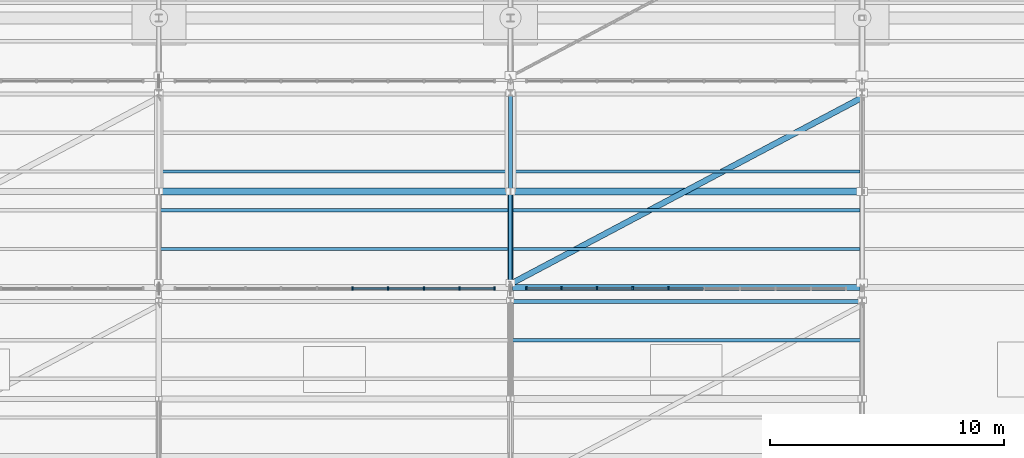
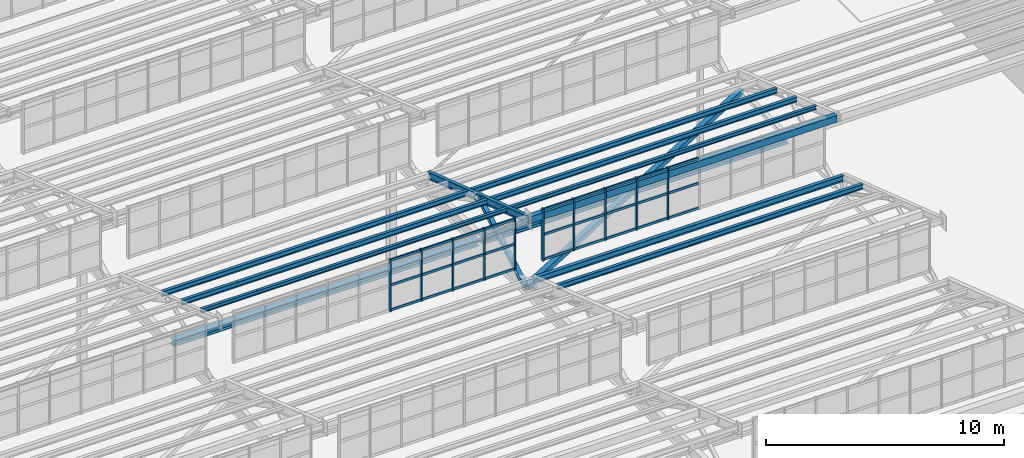
# One storey, part 88 of 285: 42 members, 10 beams, 2 elements without a shape of their own.
"""IFC4 building model written with IfcOpenShell, lengths in metres."""

from ifc_helpers import new_model, si_unit, direction, frame, origin, origin_2d, place, context, subcontext, project, spatial, rectangle, hollow_rectangle, i_section, extrude, material, material_profile, profile_set, type_object, element, aggregate, save


model = new_model("IFC4")

# Units and contexts
model_context = context("Model", 3, precision=1e-05, world=origin(), true_north=direction((0.0, 1.0)))
body_context = subcontext(model_context, "Body", "Model", "MODEL_VIEW")
ifc_project = project(units=[si_unit("LENGTHUNIT", "METRE"), si_unit("AREAUNIT", "SQUARE_METRE"), si_unit("VOLUMEUNIT", "CUBIC_METRE"), si_unit("PLANEANGLEUNIT", "RADIAN"), si_unit("MASSUNIT", "GRAM", prefix="KILO")], contexts=[model_context])

# Site, building, storey
site_placement = place(None, origin())
site = spatial("IfcSite", under=ifc_project, at=site_placement, CompositionType="ELEMENT")
building_placement = place(site_placement, origin())
building = spatial("IfcBuilding", under=site, at=building_placement, Name="Solanera Park Tramway Depot", CompositionType="ELEMENT")
storey_placement = place(building_placement, origin())
storey = spatial("IfcBuildingStorey", under=building, at=storey_placement, Name="L00", CompositionType="ELEMENT", Elevation=0.0)

# Curtain wall, members
ifc_material_1 = material(Name="Bronze-anodised thermally broken aluminium curtain wall", Category="aluminium")
curtain_wall_type = type_object("IfcCurtainWallType", Name="Sawtooth Clerestory Monitor Curtain Wall", PredefinedType="NOTDEFINED", material=ifc_material_1)
curtain_wall_1_placement = place(storey_placement, origin())
curtain_wall_1 = element("IfcCurtainWall", 1, at=curtain_wall_1_placement, inside=storey, type_object=curtain_wall_type, Name="L00 Sawtooth Clerestory Monitor Curtain Wall #018", PredefinedType="NOTDEFINED")
ifc_material_2 = material(Name="Bronze-anodised structural aluminium 6063-T6", Category="aluminium")
ifc_material_profile_1 = material_profile(ifc_material_2, rectangle(XDim=0.06494140625, YDim=0.14990234375, at=origin_2d()), Name="Curtain Wall Mullion 65x150")
ifc_profile_set_1 = profile_set([ifc_material_profile_1], Name="Bronze-anodised structural aluminium 6063-T6")
member_type_1 = type_object("IfcMemberType", Name="Curtain Wall Mullion 65x150", PredefinedType="MULLION", material=ifc_profile_set_1)
member_1_placement = place(storey_placement, frame((113.260986328125, 73.449951171875, 7.75), z_axis=(0.0, 0.0, 1.0), x_axis=(1.0, 0.0, 0.0)))
member_1 = element("IfcMember", 2, at=member_1_placement, type_object=member_type_1, Name="CW-L00-018 Mullion 6", PredefinedType="MULLION", context=body_context, shape_type="SweptSolid", body=[
    extrude(rectangle(XDim=0.06494140625, YDim=0.14990234375, at=origin_2d()), origin(), (0.0, 0.0, 1.0), 2.6611328125),
])
member_2_placement = place(storey_placement, frame((114.783203125, 73.449951171875, 7.75), z_axis=(0.0, 0.0, 1.0), x_axis=(1.0, 0.0, 0.0)))
member_2 = element("IfcMember", 3, at=member_2_placement, type_object=member_type_1, Name="CW-L00-018 Mullion 7", PredefinedType="MULLION", context=body_context, shape_type="SweptSolid", body=[
    extrude(rectangle(XDim=0.06494140625, YDim=0.14990234375, at=origin_2d()), origin(), (0.0, 0.0, 1.0), 2.6611328125),
])
member_3_placement = place(storey_placement, frame((116.3056640625, 73.449951171875, 7.75), z_axis=(0.0, 0.0, 1.0), x_axis=(1.0, 0.0, 0.0)))
member_3 = element("IfcMember", 4, at=member_3_placement, type_object=member_type_1, Name="CW-L00-018 Mullion 8", PredefinedType="MULLION", context=body_context, shape_type="SweptSolid", body=[
    extrude(rectangle(XDim=0.06494140625, YDim=0.14990234375, at=origin_2d()), origin(), (0.0, 0.0, 1.0), 2.6611328125),
])
member_4_placement = place(storey_placement, frame((117.827880859375, 73.449951171875, 7.75), z_axis=(0.0, 0.0, 1.0), x_axis=(1.0, 0.0, 0.0)))
member_4 = element("IfcMember", 5, at=member_4_placement, type_object=member_type_1, Name="CW-L00-018 Mullion 9", PredefinedType="MULLION", context=body_context, shape_type="SweptSolid", body=[
    extrude(rectangle(XDim=0.06494140625, YDim=0.14990234375, at=origin_2d()), origin(), (0.0, 0.0, 1.0), 2.6611328125),
])
member_5_placement = place(storey_placement, frame((119.3173828125, 73.449951171875, 7.75), z_axis=(0.0, 0.0, 1.0), x_axis=(1.0, 0.0, 0.0)))
member_5 = element("IfcMember", 6, at=member_5_placement, type_object=member_type_1, Name="CW-L00-018 Mullion 10", PredefinedType="MULLION", context=body_context, shape_type="SweptSolid", body=[
    extrude(rectangle(XDim=0.06494140625, YDim=0.14990234375, at=origin_2d()), origin(), (0.0, 0.0, 1.0), 2.6611328125),
])

curtain_wall_2_placement = place(storey_placement, origin())
curtain_wall_2 = element("IfcCurtainWall", 7, at=curtain_wall_2_placement, inside=storey, type_object=curtain_wall_type, Name="L00 Sawtooth Clerestory Monitor Curtain Wall #019", PredefinedType="NOTDEFINED")
member_6_placement = place(storey_placement, frame((120.6826171875, 73.449951171875, 7.75), z_axis=(0.0, 0.0, 1.0), x_axis=(1.0, 0.0, 0.0)))
member_6 = element("IfcMember", 8, at=member_6_placement, type_object=member_type_1, Name="CW-L00-019 Mullion 1", PredefinedType="MULLION", context=body_context, shape_type="SweptSolid", body=[
    extrude(rectangle(XDim=0.06494140625, YDim=0.14990234375, at=origin_2d()), origin(), (0.0, 0.0, 1.0), 2.6611328125),
])
member_7_placement = place(storey_placement, frame((122.172119140625, 73.449951171875, 7.75), z_axis=(0.0, 0.0, 1.0), x_axis=(1.0, 0.0, 0.0)))
member_7 = element("IfcMember", 9, at=member_7_placement, type_object=member_type_1, Name="CW-L00-019 Mullion 2", PredefinedType="MULLION", context=body_context, shape_type="SweptSolid", body=[
    extrude(rectangle(XDim=0.06494140625, YDim=0.14990234375, at=origin_2d()), origin(), (0.0, 0.0, 1.0), 2.6611328125),
])
member_8_placement = place(storey_placement, frame((123.6943359375, 73.449951171875, 7.75), z_axis=(0.0, 0.0, 1.0), x_axis=(1.0, 0.0, 0.0)))
member_8 = element("IfcMember", 10, at=member_8_placement, type_object=member_type_1, Name="CW-L00-019 Mullion 3", PredefinedType="MULLION", context=body_context, shape_type="SweptSolid", body=[
    extrude(rectangle(XDim=0.06494140625, YDim=0.14990234375, at=origin_2d()), origin(), (0.0, 0.0, 1.0), 2.6611328125),
])
member_9_placement = place(storey_placement, frame((125.216796875, 73.449951171875, 7.75), z_axis=(0.0, 0.0, 1.0), x_axis=(1.0, 0.0, 0.0)))
member_9 = element("IfcMember", 11, at=member_9_placement, type_object=member_type_1, Name="CW-L00-019 Mullion 4", PredefinedType="MULLION", context=body_context, shape_type="SweptSolid", body=[
    extrude(rectangle(XDim=0.06494140625, YDim=0.14990234375, at=origin_2d()), origin(), (0.0, 0.0, 1.0), 2.6611328125),
])
member_10_placement = place(storey_placement, frame((126.739013671875, 73.449951171875, 7.75), z_axis=(0.0, 0.0, 1.0), x_axis=(1.0, 0.0, 0.0)))
member_10 = element("IfcMember", 12, at=member_10_placement, type_object=member_type_1, Name="CW-L00-019 Mullion 5", PredefinedType="MULLION", context=body_context, shape_type="SweptSolid", body=[
    extrude(rectangle(XDim=0.06494140625, YDim=0.14990234375, at=origin_2d()), origin(), (0.0, 0.0, 1.0), 2.6611328125),
])

# Member
ifc_material_3 = material(Name="Bronze-anodised structural aluminium 6063-T6", Category="aluminium")
ifc_material_profile_2 = material_profile(ifc_material_3, rectangle(XDim=0.06494140625, YDim=0.1201171875, at=origin_2d()), Name="Curtain Wall Transom 65x120")
ifc_profile_set_2 = profile_set([ifc_material_profile_2], Name="Bronze-anodised structural aluminium 6063-T6")
member_type_2 = type_object("IfcMemberType", Name="Curtain Wall Transom 65x120", PredefinedType="USERDEFINED", material=ifc_profile_set_2)
member_11_placement = place(storey_placement, frame((113.2890625, 73.449951171875, 7.81005859375), z_axis=(1.0, 0.0, 0.0), x_axis=(0.0, 1.0, 0.0)))
member_11 = element("IfcMember", 13, at=member_11_placement, type_object=member_type_2, Name="CW-L00-018 Transom R1.C6", ObjectType="TRANSOM", PredefinedType="USERDEFINED", context=body_context, shape_type="SweptSolid", body=[
    extrude(rectangle(XDim=0.06494140625, YDim=0.1201171875, at=origin_2d()), origin(), (0.0, 0.0, 1.0), 1.46630859375),
])

member_12_placement = place(storey_placement, frame((114.811279296875, 73.449951171875, 7.81005859375), z_axis=(1.0, 0.0, 0.0), x_axis=(0.0, 1.0, 0.0)))
member_12 = element("IfcMember", 14, at=member_12_placement, type_object=member_type_2, Name="CW-L00-018 Transom R1.C7", ObjectType="TRANSOM", PredefinedType="USERDEFINED", context=body_context, shape_type="SweptSolid", body=[
    extrude(rectangle(XDim=0.06494140625, YDim=0.1201171875, at=origin_2d()), origin(), (0.0, 0.0, 1.0), 1.46630859375),
])

member_13_placement = place(storey_placement, frame((116.33349609375, 73.449951171875, 7.81005859375), z_axis=(1.0, 0.0, 0.0), x_axis=(0.0, 1.0, 0.0)))
member_13 = element("IfcMember", 15, at=member_13_placement, type_object=member_type_2, Name="CW-L00-018 Transom R1.C8", ObjectType="TRANSOM", PredefinedType="USERDEFINED", context=body_context, shape_type="SweptSolid", body=[
    extrude(rectangle(XDim=0.06494140625, YDim=0.1201171875, at=origin_2d()), origin(), (0.0, 0.0, 1.0), 1.46630859375),
])

member_14_placement = place(storey_placement, frame((117.855712890625, 73.449951171875, 7.81005859375), z_axis=(1.0, 0.0, 0.0), x_axis=(0.0, 1.0, 0.0)))
member_14 = element("IfcMember", 16, at=member_14_placement, type_object=member_type_2, Name="CW-L00-018 Transom R1.C9", ObjectType="TRANSOM", PredefinedType="USERDEFINED", context=body_context, shape_type="SweptSolid", body=[
    extrude(rectangle(XDim=0.06494140625, YDim=0.1201171875, at=origin_2d()), origin(), (0.0, 0.0, 1.0), 1.433837890625),
])

member_15_placement = place(storey_placement, frame((113.2890625, 73.449951171875, 9.08056640625), z_axis=(1.0, 0.0, 0.0), x_axis=(0.0, 1.0, 0.0)))
member_15 = element("IfcMember", 17, at=member_15_placement, type_object=member_type_2, Name="CW-L00-018 Transom R2.C6", ObjectType="TRANSOM", PredefinedType="USERDEFINED", context=body_context, shape_type="SweptSolid", body=[
    extrude(rectangle(XDim=0.06494140625, YDim=0.1201171875, at=origin_2d()), origin(), (0.0, 0.0, 1.0), 1.46630859375),
])

member_16_placement = place(storey_placement, frame((114.811279296875, 73.449951171875, 9.08056640625), z_axis=(1.0, 0.0, 0.0), x_axis=(0.0, 1.0, 0.0)))
member_16 = element("IfcMember", 18, at=member_16_placement, type_object=member_type_2, Name="CW-L00-018 Transom R2.C7", ObjectType="TRANSOM", PredefinedType="USERDEFINED", context=body_context, shape_type="SweptSolid", body=[
    extrude(rectangle(XDim=0.06494140625, YDim=0.1201171875, at=origin_2d()), origin(), (0.0, 0.0, 1.0), 1.46630859375),
])

member_17_placement = place(storey_placement, frame((116.33349609375, 73.449951171875, 9.08056640625), z_axis=(1.0, 0.0, 0.0), x_axis=(0.0, 1.0, 0.0)))
member_17 = element("IfcMember", 19, at=member_17_placement, type_object=member_type_2, Name="CW-L00-018 Transom R2.C8", ObjectType="TRANSOM", PredefinedType="USERDEFINED", context=body_context, shape_type="SweptSolid", body=[
    extrude(rectangle(XDim=0.06494140625, YDim=0.1201171875, at=origin_2d()), origin(), (0.0, 0.0, 1.0), 1.46630859375),
])

member_18_placement = place(storey_placement, frame((117.855712890625, 73.449951171875, 9.08056640625), z_axis=(1.0, 0.0, 0.0), x_axis=(0.0, 1.0, 0.0)))
member_18 = element("IfcMember", 20, at=member_18_placement, type_object=member_type_2, Name="CW-L00-018 Transom R2.C9", ObjectType="TRANSOM", PredefinedType="USERDEFINED", context=body_context, shape_type="SweptSolid", body=[
    extrude(rectangle(XDim=0.06494140625, YDim=0.1201171875, at=origin_2d()), origin(), (0.0, 0.0, 1.0), 1.433837890625),
])

member_19_placement = place(storey_placement, frame((113.2890625, 73.449951171875, 10.351318359375), z_axis=(1.0, 0.0, 0.0), x_axis=(0.0, 1.0, 0.0)))
member_19 = element("IfcMember", 21, at=member_19_placement, type_object=member_type_2, Name="CW-L00-018 Transom R3.C6", ObjectType="TRANSOM", PredefinedType="USERDEFINED", context=body_context, shape_type="SweptSolid", body=[
    extrude(rectangle(XDim=0.06494140625, YDim=0.1201171875, at=origin_2d()), origin(), (0.0, 0.0, 1.0), 1.46630859375),
])

member_20_placement = place(storey_placement, frame((114.811279296875, 73.449951171875, 10.351318359375), z_axis=(1.0, 0.0, 0.0), x_axis=(0.0, 1.0, 0.0)))
member_20 = element("IfcMember", 22, at=member_20_placement, type_object=member_type_2, Name="CW-L00-018 Transom R3.C7", ObjectType="TRANSOM", PredefinedType="USERDEFINED", context=body_context, shape_type="SweptSolid", body=[
    extrude(rectangle(XDim=0.06494140625, YDim=0.1201171875, at=origin_2d()), origin(), (0.0, 0.0, 1.0), 1.46630859375),
])

member_21_placement = place(storey_placement, frame((116.33349609375, 73.449951171875, 10.351318359375), z_axis=(1.0, 0.0, 0.0), x_axis=(0.0, 1.0, 0.0)))
member_21 = element("IfcMember", 23, at=member_21_placement, type_object=member_type_2, Name="CW-L00-018 Transom R3.C8", ObjectType="TRANSOM", PredefinedType="USERDEFINED", context=body_context, shape_type="SweptSolid", body=[
    extrude(rectangle(XDim=0.06494140625, YDim=0.1201171875, at=origin_2d()), origin(), (0.0, 0.0, 1.0), 1.46630859375),
])

member_22_placement = place(storey_placement, frame((117.855712890625, 73.449951171875, 10.351318359375), z_axis=(1.0, 0.0, 0.0), x_axis=(0.0, 1.0, 0.0)))
member_22 = element("IfcMember", 24, at=member_22_placement, type_object=member_type_2, Name="CW-L00-018 Transom R3.C9", ObjectType="TRANSOM", PredefinedType="USERDEFINED", context=body_context, shape_type="SweptSolid", body=[
    extrude(rectangle(XDim=0.06494140625, YDim=0.1201171875, at=origin_2d()), origin(), (0.0, 0.0, 1.0), 1.433837890625),
])

aggregate(curtain_wall_1, [member_1, member_2, member_3, member_4, member_5, member_11, member_12, member_13, member_14, member_15, member_16, member_17, member_18, member_19, member_20, member_21, member_22])

member_23_placement = place(storey_placement, frame((120.71044921875, 73.449951171875, 7.81005859375), z_axis=(1.0, 0.0, 0.0), x_axis=(0.0, 1.0, 0.0)))
member_23 = element("IfcMember", 25, at=member_23_placement, type_object=member_type_2, Name="CW-L00-019 Transom R1.C1", ObjectType="TRANSOM", PredefinedType="USERDEFINED", context=body_context, shape_type="SweptSolid", body=[
    extrude(rectangle(XDim=0.06494140625, YDim=0.1201171875, at=origin_2d()), origin(), (0.0, 0.0, 1.0), 1.433837890625),
])

member_24_placement = place(storey_placement, frame((122.2001953125, 73.449951171875, 7.81005859375), z_axis=(1.0, 0.0, 0.0), x_axis=(0.0, 1.0, 0.0)))
member_24 = element("IfcMember", 26, at=member_24_placement, type_object=member_type_2, Name="CW-L00-019 Transom R1.C2", ObjectType="TRANSOM", PredefinedType="USERDEFINED", context=body_context, shape_type="SweptSolid", body=[
    extrude(rectangle(XDim=0.06494140625, YDim=0.1201171875, at=origin_2d()), origin(), (0.0, 0.0, 1.0), 1.46630859375),
])

member_25_placement = place(storey_placement, frame((123.722412109375, 73.449951171875, 7.81005859375), z_axis=(1.0, 0.0, 0.0), x_axis=(0.0, 1.0, 0.0)))
member_25 = element("IfcMember", 27, at=member_25_placement, type_object=member_type_2, Name="CW-L00-019 Transom R1.C3", ObjectType="TRANSOM", PredefinedType="USERDEFINED", context=body_context, shape_type="SweptSolid", body=[
    extrude(rectangle(XDim=0.06494140625, YDim=0.1201171875, at=origin_2d()), origin(), (0.0, 0.0, 1.0), 1.46630859375),
])

member_26_placement = place(storey_placement, frame((125.24462890625, 73.449951171875, 7.81005859375), z_axis=(1.0, 0.0, 0.0), x_axis=(0.0, 1.0, 0.0)))
member_26 = element("IfcMember", 28, at=member_26_placement, type_object=member_type_2, Name="CW-L00-019 Transom R1.C4", ObjectType="TRANSOM", PredefinedType="USERDEFINED", context=body_context, shape_type="SweptSolid", body=[
    extrude(rectangle(XDim=0.06494140625, YDim=0.1201171875, at=origin_2d()), origin(), (0.0, 0.0, 1.0), 1.46630859375),
])

member_27_placement = place(storey_placement, frame((126.766845703125, 73.449951171875, 7.81005859375), z_axis=(1.0, 0.0, 0.0), x_axis=(0.0, 1.0, 0.0)))
member_27 = element("IfcMember", 29, at=member_27_placement, type_object=member_type_2, Name="CW-L00-019 Transom R1.C5", ObjectType="TRANSOM", PredefinedType="USERDEFINED", context=body_context, shape_type="SweptSolid", body=[
    extrude(rectangle(XDim=0.06494140625, YDim=0.1201171875, at=origin_2d()), origin(), (0.0, 0.0, 1.0), 1.46630859375),
])

member_28_placement = place(storey_placement, frame((120.71044921875, 73.449951171875, 9.08056640625), z_axis=(1.0, 0.0, 0.0), x_axis=(0.0, 1.0, 0.0)))
member_28 = element("IfcMember", 30, at=member_28_placement, type_object=member_type_2, Name="CW-L00-019 Transom R2.C1", ObjectType="TRANSOM", PredefinedType="USERDEFINED", context=body_context, shape_type="SweptSolid", body=[
    extrude(rectangle(XDim=0.06494140625, YDim=0.1201171875, at=origin_2d()), origin(), (0.0, 0.0, 1.0), 1.433837890625),
])

member_29_placement = place(storey_placement, frame((122.2001953125, 73.449951171875, 9.08056640625), z_axis=(1.0, 0.0, 0.0), x_axis=(0.0, 1.0, 0.0)))
member_29 = element("IfcMember", 31, at=member_29_placement, type_object=member_type_2, Name="CW-L00-019 Transom R2.C2", ObjectType="TRANSOM", PredefinedType="USERDEFINED", context=body_context, shape_type="SweptSolid", body=[
    extrude(rectangle(XDim=0.06494140625, YDim=0.1201171875, at=origin_2d()), origin(), (0.0, 0.0, 1.0), 1.46630859375),
])

member_30_placement = place(storey_placement, frame((123.722412109375, 73.449951171875, 9.08056640625), z_axis=(1.0, 0.0, 0.0), x_axis=(0.0, 1.0, 0.0)))
member_30 = element("IfcMember", 32, at=member_30_placement, type_object=member_type_2, Name="CW-L00-019 Transom R2.C3", ObjectType="TRANSOM", PredefinedType="USERDEFINED", context=body_context, shape_type="SweptSolid", body=[
    extrude(rectangle(XDim=0.06494140625, YDim=0.1201171875, at=origin_2d()), origin(), (0.0, 0.0, 1.0), 1.46630859375),
])

member_31_placement = place(storey_placement, frame((125.24462890625, 73.449951171875, 9.08056640625), z_axis=(1.0, 0.0, 0.0), x_axis=(0.0, 1.0, 0.0)))
member_31 = element("IfcMember", 33, at=member_31_placement, type_object=member_type_2, Name="CW-L00-019 Transom R2.C4", ObjectType="TRANSOM", PredefinedType="USERDEFINED", context=body_context, shape_type="SweptSolid", body=[
    extrude(rectangle(XDim=0.06494140625, YDim=0.1201171875, at=origin_2d()), origin(), (0.0, 0.0, 1.0), 1.46630859375),
])

member_32_placement = place(storey_placement, frame((126.766845703125, 73.449951171875, 9.08056640625), z_axis=(1.0, 0.0, 0.0), x_axis=(0.0, 1.0, 0.0)))
member_32 = element("IfcMember", 34, at=member_32_placement, type_object=member_type_2, Name="CW-L00-019 Transom R2.C5", ObjectType="TRANSOM", PredefinedType="USERDEFINED", context=body_context, shape_type="SweptSolid", body=[
    extrude(rectangle(XDim=0.06494140625, YDim=0.1201171875, at=origin_2d()), origin(), (0.0, 0.0, 1.0), 1.46630859375),
])

member_33_placement = place(storey_placement, frame((120.71044921875, 73.449951171875, 10.351318359375), z_axis=(1.0, 0.0, 0.0), x_axis=(0.0, 1.0, 0.0)))
member_33 = element("IfcMember", 35, at=member_33_placement, type_object=member_type_2, Name="CW-L00-019 Transom R3.C1", ObjectType="TRANSOM", PredefinedType="USERDEFINED", context=body_context, shape_type="SweptSolid", body=[
    extrude(rectangle(XDim=0.06494140625, YDim=0.1201171875, at=origin_2d()), origin(), (0.0, 0.0, 1.0), 1.433837890625),
])

member_34_placement = place(storey_placement, frame((122.2001953125, 73.449951171875, 10.351318359375), z_axis=(1.0, 0.0, 0.0), x_axis=(0.0, 1.0, 0.0)))
member_34 = element("IfcMember", 36, at=member_34_placement, type_object=member_type_2, Name="CW-L00-019 Transom R3.C2", ObjectType="TRANSOM", PredefinedType="USERDEFINED", context=body_context, shape_type="SweptSolid", body=[
    extrude(rectangle(XDim=0.06494140625, YDim=0.1201171875, at=origin_2d()), origin(), (0.0, 0.0, 1.0), 1.46630859375),
])

member_35_placement = place(storey_placement, frame((123.722412109375, 73.449951171875, 10.351318359375), z_axis=(1.0, 0.0, 0.0), x_axis=(0.0, 1.0, 0.0)))
member_35 = element("IfcMember", 37, at=member_35_placement, type_object=member_type_2, Name="CW-L00-019 Transom R3.C3", ObjectType="TRANSOM", PredefinedType="USERDEFINED", context=body_context, shape_type="SweptSolid", body=[
    extrude(rectangle(XDim=0.06494140625, YDim=0.1201171875, at=origin_2d()), origin(), (0.0, 0.0, 1.0), 1.46630859375),
])

member_36_placement = place(storey_placement, frame((125.24462890625, 73.449951171875, 10.351318359375), z_axis=(1.0, 0.0, 0.0), x_axis=(0.0, 1.0, 0.0)))
member_36 = element("IfcMember", 38, at=member_36_placement, type_object=member_type_2, Name="CW-L00-019 Transom R3.C4", ObjectType="TRANSOM", PredefinedType="USERDEFINED", context=body_context, shape_type="SweptSolid", body=[
    extrude(rectangle(XDim=0.06494140625, YDim=0.1201171875, at=origin_2d()), origin(), (0.0, 0.0, 1.0), 1.46630859375),
])

member_37_placement = place(storey_placement, frame((126.766845703125, 73.449951171875, 10.351318359375), z_axis=(1.0, 0.0, 0.0), x_axis=(0.0, 1.0, 0.0)))
member_37 = element("IfcMember", 39, at=member_37_placement, type_object=member_type_2, Name="CW-L00-019 Transom R3.C5", ObjectType="TRANSOM", PredefinedType="USERDEFINED", context=body_context, shape_type="SweptSolid", body=[
    extrude(rectangle(XDim=0.06494140625, YDim=0.1201171875, at=origin_2d()), origin(), (0.0, 0.0, 1.0), 1.46630859375),
])

aggregate(curtain_wall_2, [member_6, member_7, member_8, member_9, member_10, member_23, member_24, member_25, member_26, member_27, member_28, member_29, member_30, member_31, member_32, member_33, member_34, member_35, member_36, member_37])

# Members
ifc_material_4 = material(Name="Steel AS/NZS 3679.1 Grade 350", Category="steel")
ifc_material_profile_3 = material_profile(ifc_material_4, i_section(OverallWidth=0.205078125, OverallDepth=0.209716796875, WebThickness=0.00927734375, FlangeThickness=0.01416015625, at=origin_2d()), Name="200UC59.5")
ifc_profile_set_3 = profile_set([ifc_material_profile_3], Name="Steel AS/NZS 3679.1 Grade 350")
member_type_3 = type_object("IfcMemberType", Name="Roof Gantry Compression Strut 200UC59.5", PredefinedType="STRUT", material=ifc_profile_set_3)
member_38_placement = place(storey_placement, frame((120.0, 73.699951171875, 6.5), z_axis=(0.0, 0.869215843308, 0.494432824297), x_axis=(-1.0, 0.0, 0.0)))
element("IfcMember", 40, at=member_38_placement, inside=storey, type_object=member_type_3, Name="Sawtooth ROOF TRUSS Strut 200UC59.5 #0111", PredefinedType="STRUT", context=body_context, shape_type="SweptSolid", body=[
    extrude(i_section(OverallWidth=0.205078125, OverallDepth=0.209716796875, WebThickness=0.00927734375, FlangeThickness=0.01416015625, at=origin_2d()), origin(), (0.0, 0.0, 1.0), 4.487060546875),
])
ifc_material_5 = material(Name="Steel AS/NZS 3679.1 Grade 350", Category="steel")
ifc_material_profile_4 = material_profile(ifc_material_5, i_section(OverallWidth=0.306884765625, OverallDepth=0.314697265625, WebThickness=0.011962890625, FlangeThickness=0.018798828125, at=origin_2d()), Name="310UC118")
ifc_profile_set_4 = profile_set([ifc_material_profile_4], Name="Steel AS/NZS 3679.1 Grade 350")
member_type_4 = type_object("IfcMemberType", Name="Secondary Truss Chord 310UC118", PredefinedType="CHORD", material=ifc_profile_set_4)
member_39_placement = place(storey_placement, frame((105.087890625, 77.60009765625, 6.5), z_axis=(1.0, 0.0, 0.0), x_axis=(0.0, 1.0, 0.0)))
element("IfcMember", 41, at=member_39_placement, inside=storey, type_object=member_type_4, Name="Sawtooth Longitudinal Tie Chord 310UC118 #0128", PredefinedType="CHORD", context=body_context, shape_type="SweptSolid", body=[
    extrude(i_section(OverallWidth=0.306884765625, OverallDepth=0.314697265625, WebThickness=0.011962890625, FlangeThickness=0.018798828125, at=origin_2d()), origin(), (0.0, 0.0, 1.0), 14.82421875),
])
ifc_material_6 = material(Name="Steel AS/NZS 3679.1 Grade 350", Category="steel")
ifc_material_profile_5 = material_profile(ifc_material_6, i_section(OverallWidth=0.310546875, OverallDepth=0.3271484375, WebThickness=0.015625, FlangeThickness=0.02490234375, at=origin_2d()), Name="310UC158")
ifc_profile_set_5 = profile_set([ifc_material_profile_5], Name="Steel AS/NZS 3679.1 Grade 350")
member_type_5 = type_object("IfcMemberType", Name="Secondary Truss Chord 310UC158", PredefinedType="CHORD", material=ifc_profile_set_5)
member_40_placement = place(storey_placement, frame((120.087890625, 77.60009765625, 6.5), z_axis=(1.0, 0.0, 0.0), x_axis=(0.0, 1.0, 0.0)))
element("IfcMember", 42, at=member_40_placement, inside=storey, type_object=member_type_5, Name="Sawtooth Longitudinal Tie Chord 310UC158 #0129", PredefinedType="CHORD", context=body_context, shape_type="SweptSolid", body=[
    extrude(i_section(OverallWidth=0.310546875, OverallDepth=0.3271484375, WebThickness=0.015625, FlangeThickness=0.02490234375, at=origin_2d()), origin(), (0.0, 0.0, 1.0), 14.82421875),
])

# Beams
ifc_material_7 = material(Name="Steel AS/NZS 3679.1 Grade 350", Category="steel")
ifc_material_profile_6 = material_profile(ifc_material_7, i_section(OverallWidth=0.17138671875, OverallDepth=0.355712890625, WebThickness=0.00732421875, FlangeThickness=0.011474609375, at=origin_2d()), Name="360UB50.7")
ifc_profile_set_6 = profile_set([ifc_material_profile_6], Name="Steel AS/NZS 3679.1 Grade 350")
beam_type_1 = type_object("IfcBeamType", Name="Steel Beam 360UB50.7", PredefinedType="BEAM", material=ifc_profile_set_6)
beam_1_placement = place(storey_placement, frame((120.0, 73.449951171875, 10.10693359375), z_axis=(0.0, 0.948322229475, -0.317308917435), x_axis=(-1.0, 0.0, 0.0)))
element("IfcBeam", 43, at=beam_1_placement, inside=storey, type_object=beam_type_1, Name="Sawtooth ROOF TRUSS Top Rafter 360UB50.7 B03-T9", PredefinedType="BEAM", context=body_context, shape_type="SweptSolid", body=[
    extrude(i_section(OverallWidth=0.17138671875, OverallDepth=0.355712890625, WebThickness=0.00732421875, FlangeThickness=0.011474609375, at=origin_2d()), origin(), (0.0, 0.0, 1.0), 8.80517578125),
])
ifc_material_8 = material(Name="Steel AS/NZS 3679.1 Grade 350", Category="steel")
ifc_material_profile_7 = material_profile(ifc_material_8, i_section(OverallWidth=0.13330078125, OverallDepth=0.203125, WebThickness=0.005859375, FlangeThickness=0.0078125, at=origin_2d()), Name="200UB25.4")
ifc_profile_set_7 = profile_set([ifc_material_profile_7], Name="Steel AS/NZS 3679.1 Grade 350")
beam_type_2 = type_object("IfcBeamType", Name="Steel Joist Purlin 200UB25.4", PredefinedType="JOIST", material=ifc_profile_set_7)
beam_2_placement = place(storey_placement, frame((105.074951171875, 75.14990234375, 9.614013671875), z_axis=(1.0, 0.0, 0.0), x_axis=(0.0, 1.0, 0.0)))
element("IfcBeam", 44, at=beam_2_placement, inside=storey, type_object=beam_type_2, Name="Sawtooth Roof Purlin 200UB25.4 B03.2", PredefinedType="JOIST", context=body_context, shape_type="SweptSolid", body=[
    extrude(i_section(OverallWidth=0.13330078125, OverallDepth=0.203125, WebThickness=0.005859375, FlangeThickness=0.0078125, at=origin_2d()), origin(), (0.0, 0.0, 1.0), 14.84716796875),
])
beam_3_placement = place(storey_placement, frame((120.077880859375, 75.14990234375, 9.614013671875), z_axis=(1.0, 0.0, 0.0), x_axis=(0.0, 1.0, 0.0)))
element("IfcBeam", 45, at=beam_3_placement, inside=storey, type_object=beam_type_2, Name="Sawtooth Roof Purlin 200UB25.4 B03.2", PredefinedType="JOIST", context=body_context, shape_type="SweptSolid", body=[
    extrude(i_section(OverallWidth=0.13330078125, OverallDepth=0.203125, WebThickness=0.005859375, FlangeThickness=0.0078125, at=origin_2d()), origin(), (0.0, 0.0, 1.0), 14.84130859375),
])
ifc_material_9 = material(Name="Steel AS/NZS 3679.1 Grade 350", Category="steel")
ifc_material_profile_8 = material_profile(ifc_material_9, i_section(OverallWidth=0.14599609375, OverallDepth=0.251708984375, WebThickness=0.006103515625, FlangeThickness=0.008544921875, at=origin_2d()), Name="250UB31.4")
ifc_profile_set_8 = profile_set([ifc_material_profile_8], Name="Steel AS/NZS 3679.1 Grade 350")
beam_type_3 = type_object("IfcBeamType", Name="Steel Joist Purlin 250UB31.4", PredefinedType="JOIST", material=ifc_profile_set_8)
beam_4_placement = place(storey_placement, frame((105.074951171875, 76.800048828125, 9.03564453125), z_axis=(1.0, 0.0, 0.0), x_axis=(0.0, 1.0, 0.0)))
element("IfcBeam", 46, at=beam_4_placement, inside=storey, type_object=beam_type_3, Name="Sawtooth Roof Purlin 250UB31.4 B03.3", PredefinedType="JOIST", context=body_context, shape_type="SweptSolid", body=[
    extrude(i_section(OverallWidth=0.14599609375, OverallDepth=0.251708984375, WebThickness=0.006103515625, FlangeThickness=0.008544921875, at=origin_2d()), origin(), (0.0, 0.0, 1.0), 14.84716796875),
])
beam_5_placement = place(storey_placement, frame((120.077880859375, 76.800048828125, 9.03564453125), z_axis=(1.0, 0.0, 0.0), x_axis=(0.0, 1.0, 0.0)))
element("IfcBeam", 47, at=beam_5_placement, inside=storey, type_object=beam_type_3, Name="Sawtooth Roof Purlin 250UB31.4 B03.3", PredefinedType="JOIST", context=body_context, shape_type="SweptSolid", body=[
    extrude(i_section(OverallWidth=0.14599609375, OverallDepth=0.251708984375, WebThickness=0.006103515625, FlangeThickness=0.008544921875, at=origin_2d()), origin(), (0.0, 0.0, 1.0), 14.84130859375),
])
ifc_material_10 = material(Name="Steel AS/NZS 3679.1 Grade 350", Category="steel")
ifc_material_profile_9 = material_profile(ifc_material_10, i_section(OverallWidth=0.146484375, OverallDepth=0.256103515625, WebThickness=0.00634765625, FlangeThickness=0.010986328125, at=origin_2d()), Name="250UB37.3")
ifc_profile_set_9 = profile_set([ifc_material_profile_9], Name="Steel AS/NZS 3679.1 Grade 350")
beam_type_4 = type_object("IfcBeamType", Name="Steel Joist Purlin 250UB37.3", PredefinedType="JOIST", material=ifc_profile_set_9)
beam_6_placement = place(storey_placement, frame((120.0966796875, 71.25, 7.92919921875), z_axis=(1.0, 0.0, 0.0), x_axis=(0.0, 1.0, 0.0)))
element("IfcBeam", 48, at=beam_6_placement, inside=storey, type_object=beam_type_4, Name="Sawtooth Roof Purlin 250UB37.3 B02.5", PredefinedType="JOIST", context=body_context, shape_type="SweptSolid", body=[
    extrude(i_section(OverallWidth=0.146484375, OverallDepth=0.256103515625, WebThickness=0.00634765625, FlangeThickness=0.010986328125, at=origin_2d()), origin(), (0.0, 0.0, 1.0), 14.828369140625),
])
beam_7_placement = place(storey_placement, frame((105.074951171875, 78.449951171875, 8.481201171875), z_axis=(1.0, 0.0, 0.0), x_axis=(0.0, 1.0, 0.0)))
element("IfcBeam", 49, at=beam_7_placement, inside=storey, type_object=beam_type_4, Name="Sawtooth Roof Purlin 250UB37.3 B03.4", PredefinedType="JOIST", context=body_context, shape_type="SweptSolid", body=[
    extrude(i_section(OverallWidth=0.146484375, OverallDepth=0.256103515625, WebThickness=0.00634765625, FlangeThickness=0.010986328125, at=origin_2d()), origin(), (0.0, 0.0, 1.0), 14.84716796875),
])
beam_8_placement = place(storey_placement, frame((120.077880859375, 78.449951171875, 8.481201171875), z_axis=(1.0, 0.0, 0.0), x_axis=(0.0, 1.0, 0.0)))
element("IfcBeam", 50, at=beam_8_placement, inside=storey, type_object=beam_type_4, Name="Sawtooth Roof Purlin 250UB37.3 B03.4", PredefinedType="JOIST", context=body_context, shape_type="SweptSolid", body=[
    extrude(i_section(OverallWidth=0.146484375, OverallDepth=0.256103515625, WebThickness=0.00634765625, FlangeThickness=0.010986328125, at=origin_2d()), origin(), (0.0, 0.0, 1.0), 14.84130859375),
])
ifc_material_11 = material(Name="Steel AS/NZS 3679.1 Grade 350", Category="steel")
ifc_material_profile_10 = material_profile(ifc_material_11, i_section(OverallWidth=0.1650390625, OverallDepth=0.3037109375, WebThickness=0.006103515625, FlangeThickness=0.01025390625, at=origin_2d()), Name="310UB40.4")
ifc_profile_set_10 = profile_set([ifc_material_profile_10], Name="Steel AS/NZS 3679.1 Grade 350")
beam_type_5 = type_object("IfcBeamType", Name="Steel Joist Purlin 310UB40.4", PredefinedType="JOIST", material=ifc_profile_set_10)
beam_9_placement = place(storey_placement, frame((120.0966796875, 72.89990234375, 7.35009765625), z_axis=(1.0, 0.0, 0.0), x_axis=(0.0, 1.0, 0.0)))
element("IfcBeam", 51, at=beam_9_placement, inside=storey, type_object=beam_type_5, Name="Sawtooth Roof Purlin 310UB40.4 B02.6", PredefinedType="JOIST", context=body_context, shape_type="SweptSolid", body=[
    extrude(i_section(OverallWidth=0.1650390625, OverallDepth=0.3037109375, WebThickness=0.006103515625, FlangeThickness=0.01025390625, at=origin_2d()), origin(), (0.0, 0.0, 1.0), 14.828369140625),
])
ifc_material_12 = material(Name="Steel AS/NZS 1163 Grade C350L0", Category="steel")
ifc_material_profile_11 = material_profile(ifc_material_12, hollow_rectangle(XDim=0.25, YDim=0.35009765625, WallThickness=0.010009765625, at=origin_2d()), Name="350x250x10.0 RHS")
ifc_profile_set_11 = profile_set([ifc_material_profile_11], Name="Steel AS/NZS 1163 Grade C350L0")
beam_type_6 = type_object("IfcBeamType", Name="Steel Joist Purlin 350x250x10.0 RHS", PredefinedType="JOIST", material=ifc_profile_set_11)
beam_10_placement = place(storey_placement, frame((120.077880859375, 73.5, 10.0732421875), z_axis=(1.0, 0.0, 0.0), x_axis=(0.0, 1.0, 0.0)))
element("IfcBeam", 52, at=beam_10_placement, inside=storey, type_object=beam_type_6, Name="Sawtooth Roof Purlin 350x250x10.0 RHS B03.1", PredefinedType="JOIST", context=body_context, shape_type="SweptSolid", body=[
    extrude(hollow_rectangle(XDim=0.25, YDim=0.35009765625, WallThickness=0.010009765625, at=origin_2d()), origin(), (0.0, 0.0, 1.0), 14.84130859375),
])

# Members
ifc_material_13 = material(Name="Steel AS/NZS 1163 Grade C350L0", Category="steel")
ifc_material_profile_12 = material_profile(ifc_material_13, hollow_rectangle(XDim=0.14990234375, YDim=0.14990234375, WallThickness=0.006103515625, at=origin_2d()), Name="150x150x6.0 SHS")
ifc_profile_set_12 = profile_set([ifc_material_profile_12], Name="Steel AS/NZS 1163 Grade C350L0")
member_type_6 = type_object("IfcMemberType", Name="Truss and Frame Brace 150x150x6.0 SHS", PredefinedType="BRACE", material=ifc_profile_set_12)
member_41_placement = place(storey_placement, frame((120.0, 77.60009765625, 6.5), z_axis=(0.0, -0.754775645554, 0.655983021791), x_axis=(1.0, 0.0, 0.0)))
element("IfcMember", 53, at=member_41_placement, inside=storey, type_object=member_type_6, Name="Sawtooth ROOF TRUSS Web Brace 150x150x6.0 SHS #0109", PredefinedType="BRACE", context=body_context, shape_type="SweptSolid", body=[
    extrude(hollow_rectangle(XDim=0.14990234375, YDim=0.14990234375, WallThickness=0.006103515625, at=origin_2d()), origin(), (0.0, 0.0, 1.0), 5.49853515625),
])
ifc_material_14 = material(Name="Steel AS/NZS 1163 Grade C350L0", Category="steel")
ifc_material_profile_13 = material_profile(ifc_material_14, hollow_rectangle(XDim=0.25, YDim=0.25, WallThickness=0.010009765625, at=origin_2d()), Name="250x250x10.0 SHS")
ifc_profile_set_13 = profile_set([ifc_material_profile_13], Name="Steel AS/NZS 1163 Grade C350L0")
member_type_7 = type_object("IfcMemberType", Name="Truss and Frame Brace 250x250x10.0 SHS", PredefinedType="BRACE", material=ifc_profile_set_13)
member_42_placement = place(storey_placement, frame((120.001953125, 73.64990234375, 6.5), z_axis=(0.883517662461, 0.468397843846, 0.0), x_axis=(-0.468397843846, 0.883517662461, 0.0)))
element("IfcMember", 54, at=member_42_placement, inside=storey, type_object=member_type_7, Name="Roof Plane Cyclonic Brace 250x250x10.0 SHS #0130", PredefinedType="BRACE", context=body_context, shape_type="SweptSolid", body=[
    extrude(hollow_rectangle(XDim=0.25, YDim=0.25, WallThickness=0.010009765625, at=origin_2d()), origin(), (0.0, 0.0, 1.0), 16.97314453125),
])

save(model, "model.ifc")
